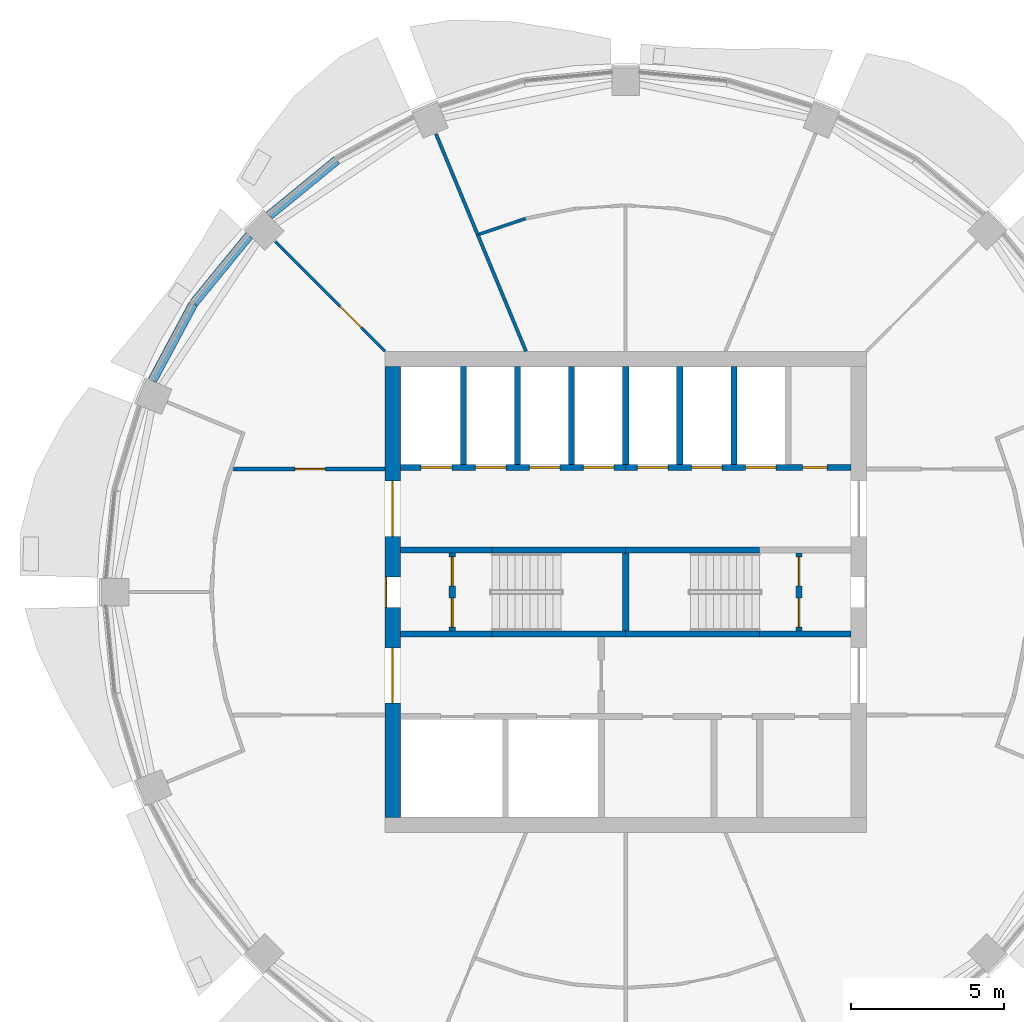
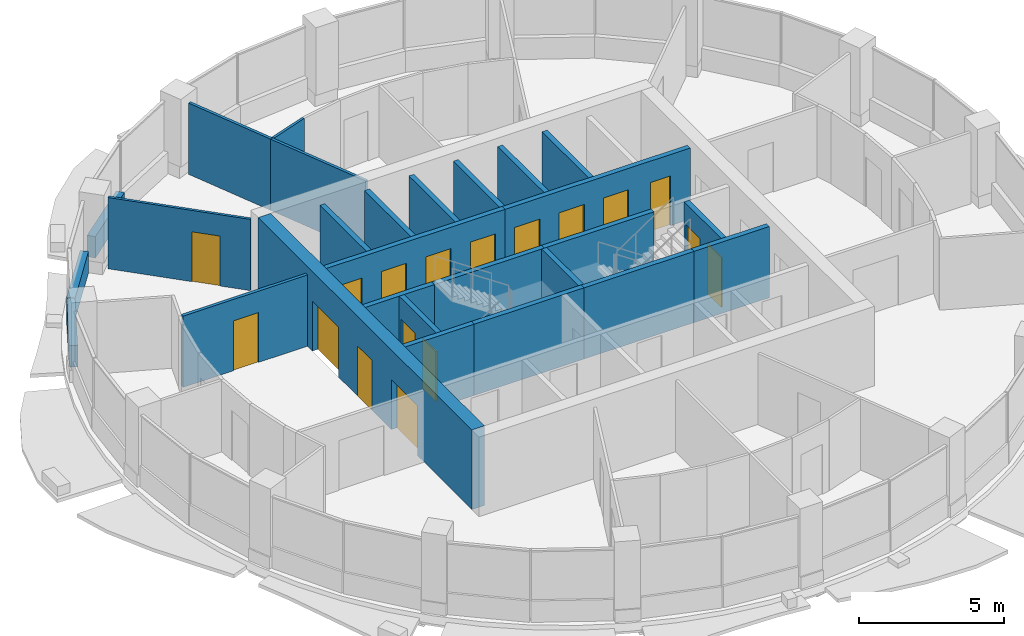
# One storey, part 9 of 15: 27 walls, 17 doors, 17 openings.
"""IFC4 building model written with IfcOpenShell, lengths in metres."""

from ifc_helpers import new_model, si_unit, direction, frame, frame_2d, origin, place, context, subcontext, project, spatial, rectangle, extrude, material, layer, layer_set, type_object, element, fill, save


model = new_model("IFC4")

# Units and contexts
model_context = context("Model", 3, precision=1e-05, world=origin(), true_north=direction((0.0, 1.0)))
body_context = subcontext(model_context, "Body", "Model", "MODEL_VIEW")
ifc_project = project(units=[si_unit("LENGTHUNIT", "METRE"), si_unit("AREAUNIT", "SQUARE_METRE"), si_unit("VOLUMEUNIT", "CUBIC_METRE"), si_unit("PLANEANGLEUNIT", "RADIAN"), si_unit("MASSUNIT", "GRAM", prefix="KILO")], contexts=[model_context])

# Site, building, storey
site_placement = place(None, origin())
site = spatial("IfcSite", under=ifc_project, at=site_placement, CompositionType="ELEMENT")
building_placement = place(site_placement, origin())
building = spatial("IfcBuilding", under=site, at=building_placement, Name="Polderwave Tower", CompositionType="ELEMENT")
storey_placement = place(building_placement, frame((0.0, 0.0, 197.699951171875)))
storey = spatial("IfcBuildingStorey", under=building, at=storey_placement, Name="L53", CompositionType="ELEMENT", Elevation=197.699951171875)

# Wall, openings, doors
ifc_material_1 = material(Name="Concrete C60/75", Category="concrete")
ifc_layer_1 = layer(ifc_material_1, 0.5)
ifc_layer_set_1 = layer_set([ifc_layer_1], Name="CORE WALL 500 C60/75")
wall_type_1 = type_object("IfcWallType", Name="CORE WALL 500 C60/75", PredefinedType="SHEAR", material=ifc_layer_set_1)
wall_1_placement = place(storey_placement, frame((-7.6240234375, -7.3740234375, 0.0), z_axis=(0.0, 0.0, 1.0), x_axis=(0.0, 1.0, 0.0)))
wall_1 = element("IfcWall", 1, at=wall_1_placement, inside=storey, type_object=wall_type_1, Name="ST-CORE-L53-W", PredefinedType="SHEAR", context=body_context, shape_type="SweptSolid", body=[
    extrude(rectangle(XDim=14.748046875, YDim=0.5, at=frame_2d((7.3740234375, 0.0))), origin(), (0.0, 0.0, 1.0), 3.35009765625),
])
opening_1_placement = place(wall_1_placement, frame((6.8740234375, 0.0, 0.0)))
opening_1 = element("IfcOpeningElement", 2, at=opening_1_placement, cuts=wall_1, Name="Opening L53-D19", PredefinedType="OPENING", context=body_context, shape_type="SweptSolid", body=[
    extrude(rectangle(XDim=1.0, YDim=2.10009765625, at=frame_2d((0.5, 1.050048828125))), frame((0.0, 0.260009765625, 0.0), z_axis=(0.0, -1.0, 0.0), x_axis=(1.0, 0.0, 0.0)), (0.0, 0.0, 1.0), 0.52001953125),
])
opening_2_placement = place(wall_1_placement, frame((3.74951171875, 0.0, 0.0)))
opening_2 = element("IfcOpeningElement", 3, at=opening_2_placement, cuts=wall_1, Name="Opening L53-D20", PredefinedType="OPENING", context=body_context, shape_type="SweptSolid", body=[
    extrude(rectangle(XDim=1.800048828125, YDim=2.10009765625, at=frame_2d((0.89990234375, 1.050048828125))), frame((0.0, 0.260009765625, 0.0), z_axis=(0.0, -1.0, 0.0), x_axis=(1.0, 0.0, 0.0)), (0.0, 0.0, 1.0), 0.52001953125),
])
opening_3_placement = place(wall_1_placement, frame((9.198486328125, 0.0, 0.0)))
opening_3 = element("IfcOpeningElement", 4, at=opening_3_placement, cuts=wall_1, Name="Opening L53-D21", PredefinedType="OPENING", context=body_context, shape_type="SweptSolid", body=[
    extrude(rectangle(XDim=1.800048828125, YDim=2.10009765625, at=frame_2d((0.89990234375, 1.050048828125))), frame((0.0, 0.260009765625, 0.0), z_axis=(0.0, -1.0, 0.0), x_axis=(1.0, 0.0, 0.0)), (0.0, 0.0, 1.0), 0.52001953125),
])
ifc_material_2 = material(Name="Steel fire door", Category="steel")
door_type_1 = type_object("IfcDoorType", Name="Lobby entry door pair 1800", OperationType="DOUBLE_DOOR_SINGLE_SWING", PredefinedType="DOOR", material=ifc_material_2)
door_1_placement = place(opening_2_placement, origin())
door_1 = element("IfcDoor", 5, at=door_1_placement, inside=storey, type_object=door_type_1, Name="Fire-fighting lobby entry door", OperationType="DOUBLE_DOOR_SINGLE_SWING", OverallHeight=2.10009765625, OverallWidth=1.800048828125, PredefinedType="DOOR", context=body_context, shape_type="SweptSolid", body=[
    extrude(rectangle(XDim=1.800048828125, YDim=2.10009765625, at=frame_2d((0.89990234375, 1.050048828125))), frame((0.0, 0.02490234375, 0.0), z_axis=(0.0, -1.0, 0.0), x_axis=(1.0, 0.0, 0.0)), (0.0, 0.0, 1.0), 0.050048828125),
])
fill(opening_2, door_1)
door_2_placement = place(opening_3_placement, origin())
door_2 = element("IfcDoor", 6, at=door_2_placement, inside=storey, type_object=door_type_1, Name="North lobby entry door", OperationType="DOUBLE_DOOR_SINGLE_SWING", OverallHeight=2.10009765625, OverallWidth=1.800048828125, PredefinedType="DOOR", context=body_context, shape_type="SweptSolid", body=[
    extrude(rectangle(XDim=1.800048828125, YDim=2.10009765625, at=frame_2d((0.89990234375, 1.050048828125))), frame((0.0, 0.02490234375, 0.0), z_axis=(0.0, -1.0, 0.0), x_axis=(1.0, 0.0, 0.0)), (0.0, 0.0, 1.0), 0.050048828125),
])
fill(opening_3, door_2)
door_type_2 = type_object("IfcDoorType", Name="Stair door 1000", OperationType="NOTDEFINED", PredefinedType="DOOR", material=ifc_material_2)
door_3_placement = place(opening_1_placement, origin())
door_3 = element("IfcDoor", 7, at=door_3_placement, inside=storey, type_object=door_type_2, Name="Stair A entry door", OperationType="SINGLE_SWING_RIGHT", OverallHeight=2.10009765625, OverallWidth=1.0, PredefinedType="DOOR", context=body_context, shape_type="SweptSolid", body=[
    extrude(rectangle(XDim=1.0, YDim=2.10009765625, at=frame_2d((0.5, 1.050048828125))), frame((0.0, 0.25, 0.0), z_axis=(0.0, -1.0, 0.0), x_axis=(1.0, 0.0, 0.0)), (0.0, 0.0, 1.0), 0.050048828125),
])
fill(opening_1, door_3)

# Walls
ifc_material_3 = material(Name="Concrete C50/60 (board-marked)", Category="concrete")
ifc_layer_2 = layer(ifc_material_3, 0.300048828125)
ifc_layer_set_2 = layer_set([ifc_layer_2], Name="Concrete spandrel upstand C50/60")
wall_type_2 = type_object("IfcWallType", Name="Concrete spandrel upstand C50/60", PredefinedType="SOLIDWALL", material=ifc_layer_set_2)
for number, where, z_axis, x_axis, name in (
    (8, (-9.45556640625, 14.12548828125, 0.0), (0.0, 0.0, 1.0), (-0.773213238462, -0.634146109242, 0.0), "Spandrel L53 6b"),
    (9, (-12.31640625, 11.661376953125, 0.0), (0.0, 0.0, 1.0), (-0.634146109242, -0.773213238462, 0.0), "Spandrel L53 7a"),
):
    element("IfcWall", number, at=place(storey_placement, frame(where, z_axis=z_axis, x_axis=x_axis)), inside=storey, type_object=wall_type_2, Name=name, PredefinedType="SOLIDWALL", context=body_context, shape_type="SweptSolid", body=[
        extrude(rectangle(XDim=2.852783203125, YDim=0.300048828125, at=frame_2d((1.42626953125, 0.0))), origin(), (0.0, 0.0, 1.0), 0.900146484375),
    ])
wall_2_placement = place(storey_placement, frame((-14.14208984375, 9.430908203125, 0.0), z_axis=(0.0, 0.0, 1.0), x_axis=(-0.471441594872, -0.881897285756, 0.0)))
element("IfcWall", 10, at=wall_2_placement, inside=storey, type_object=wall_type_2, Name="Spandrel L53 7b", PredefinedType="SOLIDWALL", context=body_context, shape_type="SweptSolid", body=[
    extrude(rectangle(XDim=2.850341796875, YDim=0.300048828125, at=frame_2d((1.42529296875, 0.0))), origin(), (0.0, 0.0, 1.0), 0.900146484375),
])

# Wall, openings, doors
ifc_material_4 = material(Name="Gypsum board partition")
ifc_layer_3 = layer(ifc_material_4, 0.199951171875)
ifc_layer_set_3 = layer_set([ifc_layer_3], Name="Core room partition 200")
wall_type_3 = type_object("IfcWallType", Name="Core room partition 200", PredefinedType="PARTITIONING", material=ifc_layer_set_3)
wall_3_placement = place(storey_placement, frame((-5.674072265625, -1.27490234375, 0.0), z_axis=(0.0, 0.0, 1.0), x_axis=(0.0, 1.0, 0.0)))
wall_3 = element("IfcWall", 11, at=wall_3_placement, inside=storey, type_object=wall_type_3, Name="L53 smoke lobby wall A", PredefinedType="PARTITIONING", context=body_context, shape_type="SweptSolid", body=[
    extrude(rectangle(XDim=2.5498046875, YDim=0.199951171875, at=frame_2d((1.27490234375, 0.0))), origin(), (0.0, 0.0, 1.0), 3.0),
])
opening_4_placement = place(wall_3_placement, frame((0.125, 0.0, 0.0)))
opening_4 = element("IfcOpeningElement", 12, at=opening_4_placement, cuts=wall_3, Name="Opening L53-D10", PredefinedType="OPENING", context=body_context, shape_type="SweptSolid", body=[
    extrude(rectangle(XDim=0.949951171875, YDim=2.10009765625, at=frame_2d((0.47509765625, 1.050048828125))), frame((0.0, 0.10986328125, 0.0), z_axis=(0.0, -1.0, 0.0), x_axis=(1.0, 0.0, 0.0)), (0.0, 0.0, 1.0), 0.219970703125),
])
opening_5_placement = place(wall_3_placement, frame((1.47509765625, 0.0, 0.0)))
opening_5 = element("IfcOpeningElement", 13, at=opening_5_placement, cuts=wall_3, Name="Opening L53-D11", PredefinedType="OPENING", context=body_context, shape_type="SweptSolid", body=[
    extrude(rectangle(XDim=0.949951171875, YDim=2.10009765625, at=frame_2d((0.47509765625, 1.050048828125))), frame((0.0, 0.10986328125, 0.0), z_axis=(0.0, -1.0, 0.0), x_axis=(1.0, 0.0, 0.0)), (0.0, 0.0, 1.0), 0.219970703125),
])
door_type_3 = type_object("IfcDoorType", Name="Smoke lobby door 950", OperationType="NOTDEFINED", PredefinedType="DOOR", material=ifc_material_2)
door_4_placement = place(opening_4_placement, origin())
door_4 = element("IfcDoor", 14, at=door_4_placement, inside=storey, type_object=door_type_3, Name="Stair A smoke lobby inner door", OperationType="SINGLE_SWING_LEFT", OverallHeight=2.10009765625, OverallWidth=0.949951171875, PredefinedType="DOOR", context=body_context, shape_type="SweptSolid", body=[
    extrude(rectangle(XDim=0.949951171875, YDim=2.10009765625, at=frame_2d((0.47509765625, 1.050048828125))), frame((0.0, 0.02490234375, 0.0), z_axis=(0.0, -1.0, 0.0), x_axis=(1.0, 0.0, 0.0)), (0.0, 0.0, 1.0), 0.050048828125),
])
fill(opening_4, door_4)
door_5_placement = place(opening_5_placement, origin())
door_5 = element("IfcDoor", 15, at=door_5_placement, inside=storey, type_object=door_type_3, Name="Stair A smoke lobby inner door", OperationType="SINGLE_SWING_RIGHT", OverallHeight=2.10009765625, OverallWidth=0.949951171875, PredefinedType="DOOR", context=body_context, shape_type="SweptSolid", body=[
    extrude(rectangle(XDim=0.949951171875, YDim=2.10009765625, at=frame_2d((0.47509765625, 1.050048828125))), frame((0.0, 0.02490234375, 0.0), z_axis=(0.0, -1.0, 0.0), x_axis=(1.0, 0.0, 0.0)), (0.0, 0.0, 1.0), 0.050048828125),
])
fill(opening_5, door_5)

wall_4_placement = place(storey_placement, frame((5.674072265625, -1.27490234375, 0.0), z_axis=(0.0, 0.0, 1.0), x_axis=(0.0, 1.0, 0.0)))
wall_4 = element("IfcWall", 16, at=wall_4_placement, inside=storey, type_object=wall_type_3, Name="L53 smoke lobby wall B", PredefinedType="PARTITIONING", context=body_context, shape_type="SweptSolid", body=[
    extrude(rectangle(XDim=2.5498046875, YDim=0.199951171875, at=frame_2d((1.27490234375, 0.0))), origin(), (0.0, 0.0, 1.0), 3.0),
])
opening_6_placement = place(wall_4_placement, frame((0.125, 0.0, 0.0)))
opening_6 = element("IfcOpeningElement", 17, at=opening_6_placement, cuts=wall_4, Name="Opening L53-D12", PredefinedType="OPENING", context=body_context, shape_type="SweptSolid", body=[
    extrude(rectangle(XDim=0.949951171875, YDim=2.10009765625, at=frame_2d((0.47509765625, 1.050048828125))), frame((0.0, 0.10986328125, 0.0), z_axis=(0.0, -1.0, 0.0), x_axis=(1.0, 0.0, 0.0)), (0.0, 0.0, 1.0), 0.219970703125),
])
opening_7_placement = place(wall_4_placement, frame((1.47509765625, 0.0, 0.0)))
opening_7 = element("IfcOpeningElement", 18, at=opening_7_placement, cuts=wall_4, Name="Opening L53-D13", PredefinedType="OPENING", context=body_context, shape_type="SweptSolid", body=[
    extrude(rectangle(XDim=0.949951171875, YDim=2.10009765625, at=frame_2d((0.47509765625, 1.050048828125))), frame((0.0, 0.10986328125, 0.0), z_axis=(0.0, -1.0, 0.0), x_axis=(1.0, 0.0, 0.0)), (0.0, 0.0, 1.0), 0.219970703125),
])
door_6_placement = place(opening_6_placement, frame((0.949951171875, 0.0, 0.0), z_axis=(0.0, 0.0, 1.0), x_axis=(-1.0, 0.0, 0.0)))
door_6 = element("IfcDoor", 19, at=door_6_placement, inside=storey, type_object=door_type_3, Name="Stair B smoke lobby inner door", OperationType="SINGLE_SWING_RIGHT", OverallHeight=2.10009765625, OverallWidth=0.949951171875, PredefinedType="DOOR", context=body_context, shape_type="SweptSolid", body=[
    extrude(rectangle(XDim=0.949951171875, YDim=2.10009765625, at=frame_2d((0.47509765625, 1.050048828125))), frame((0.0, 0.02490234375, 0.0), z_axis=(0.0, -1.0, 0.0), x_axis=(1.0, 0.0, 0.0)), (0.0, 0.0, 1.0), 0.050048828125),
])
fill(opening_6, door_6)
door_7_placement = place(opening_7_placement, frame((0.949951171875, 0.0, 0.0), z_axis=(0.0, 0.0, 1.0), x_axis=(-1.0, 0.0, 0.0)))
door_7 = element("IfcDoor", 20, at=door_7_placement, inside=storey, type_object=door_type_3, Name="Stair B smoke lobby inner door", OperationType="SINGLE_SWING_LEFT", OverallHeight=2.10009765625, OverallWidth=0.949951171875, PredefinedType="DOOR", context=body_context, shape_type="SweptSolid", body=[
    extrude(rectangle(XDim=0.949951171875, YDim=2.10009765625, at=frame_2d((0.47509765625, 1.050048828125))), frame((0.0, 0.02490234375, 0.0), z_axis=(0.0, -1.0, 0.0), x_axis=(1.0, 0.0, 0.0)), (0.0, 0.0, 1.0), 0.050048828125),
])
fill(opening_7, door_7)

ifc_material_5 = material(Name="Concrete C50/60", Category="concrete")
ifc_layer_4 = layer(ifc_material_5, 0.199951171875)
ifc_layer_set_4 = layer_set([ifc_layer_4], Name="Core web wall 200")
wall_type_4 = type_object("IfcWallType", Name="Core web wall 200", PredefinedType="SHEAR", material=ifc_layer_set_4)
wall_5_placement = place(storey_placement, frame((-7.3740234375, 4.073974609375, 0.0), z_axis=(0.0, 0.0, 1.0), x_axis=(1.0, 0.0, 0.0)))
wall_5 = element("IfcWall", 21, at=wall_5_placement, inside=storey, type_object=wall_type_4, Name="L53 north front wall 1", PredefinedType="SHEAR", context=body_context, shape_type="SweptSolid", body=[
    extrude(rectangle(XDim=7.3740234375, YDim=0.199951171875, at=frame_2d((3.68701171875, 0.0))), origin(), (0.0, 0.0, 1.0), 3.0),
])
opening_8_placement = place(wall_5_placement, frame((0.68408203125, 0.0, 0.0)))
opening_8 = element("IfcOpeningElement", 22, at=opening_8_placement, cuts=wall_5, Name="Opening L53-D03", PredefinedType="OPENING", context=body_context, shape_type="SweptSolid", body=[
    extrude(rectangle(XDim=1.0, YDim=2.10009765625, at=frame_2d((0.5, 1.050048828125))), frame((0.0, 0.10986328125, 0.0), z_axis=(0.0, -1.0, 0.0), x_axis=(1.0, 0.0, 0.0)), (0.0, 0.0, 1.0), 0.219970703125),
])
opening_9_placement = place(wall_5_placement, frame((2.45263671875, 0.0, 0.0)))
opening_9 = element("IfcOpeningElement", 23, at=opening_9_placement, cuts=wall_5, Name="Opening L53-D04", PredefinedType="OPENING", context=body_context, shape_type="SweptSolid", body=[
    extrude(rectangle(XDim=1.0, YDim=2.10009765625, at=frame_2d((0.5, 1.050048828125))), frame((0.0, 0.10986328125, 0.0), z_axis=(0.0, -1.0, 0.0), x_axis=(1.0, 0.0, 0.0)), (0.0, 0.0, 1.0), 0.219970703125),
])
opening_10_placement = place(wall_5_placement, frame((4.22119140625, 0.0, 0.0)))
opening_10 = element("IfcOpeningElement", 24, at=opening_10_placement, cuts=wall_5, Name="Opening L53-D05", PredefinedType="OPENING", context=body_context, shape_type="SweptSolid", body=[
    extrude(rectangle(XDim=1.0, YDim=2.10009765625, at=frame_2d((0.5, 1.050048828125))), frame((0.0, 0.10986328125, 0.0), z_axis=(0.0, -1.0, 0.0), x_axis=(1.0, 0.0, 0.0)), (0.0, 0.0, 1.0), 0.219970703125),
])
opening_11_placement = place(wall_5_placement, frame((5.98974609375, 0.0, 0.0)))
opening_11 = element("IfcOpeningElement", 25, at=opening_11_placement, cuts=wall_5, Name="Opening L53-D06", PredefinedType="OPENING", context=body_context, shape_type="SweptSolid", body=[
    extrude(rectangle(XDim=1.0, YDim=2.10009765625, at=frame_2d((0.5, 1.050048828125))), frame((0.0, 0.10986328125, 0.0), z_axis=(0.0, -1.0, 0.0), x_axis=(1.0, 0.0, 0.0)), (0.0, 0.0, 1.0), 0.219970703125),
])
ifc_material_6 = material(Name="Stainless steel", Category="steel")
door_type_4 = type_object("IfcDoorType", Name="Lift landing door 1000", OperationType="DOUBLE_DOOR_SLIDING", PredefinedType="DOOR", material=ifc_material_6)
door_8_placement = place(opening_8_placement, frame((1.0, 0.0, 0.0), z_axis=(0.0, 0.0, 1.0), x_axis=(-1.0, 0.0, 0.0)))
door_8 = element("IfcDoor", 26, at=door_8_placement, inside=storey, type_object=door_type_4, Name="Lift HL1 landing door", OperationType="DOUBLE_DOOR_SLIDING", OverallHeight=2.10009765625, OverallWidth=1.0, PredefinedType="DOOR", context=body_context, shape_type="SweptSolid", body=[
    extrude(rectangle(XDim=1.0, YDim=2.10009765625, at=frame_2d((0.5, 1.050048828125))), frame((0.0, 0.02490234375, 0.0), z_axis=(0.0, -1.0, 0.0), x_axis=(1.0, 0.0, 0.0)), (0.0, 0.0, 1.0), 0.050048828125),
])
fill(opening_8, door_8)
door_9_placement = place(opening_9_placement, frame((1.0, 0.0, 0.0), z_axis=(0.0, 0.0, 1.0), x_axis=(-1.0, 0.0, 0.0)))
door_9 = element("IfcDoor", 27, at=door_9_placement, inside=storey, type_object=door_type_4, Name="Lift HL2 landing door", OperationType="DOUBLE_DOOR_SLIDING", OverallHeight=2.10009765625, OverallWidth=1.0, PredefinedType="DOOR", context=body_context, shape_type="SweptSolid", body=[
    extrude(rectangle(XDim=1.0, YDim=2.10009765625, at=frame_2d((0.5, 1.050048828125))), frame((0.0, 0.02490234375, 0.0), z_axis=(0.0, -1.0, 0.0), x_axis=(1.0, 0.0, 0.0)), (0.0, 0.0, 1.0), 0.050048828125),
])
fill(opening_9, door_9)
door_10_placement = place(opening_10_placement, frame((1.0, 0.0, 0.0), z_axis=(0.0, 0.0, 1.0), x_axis=(-1.0, 0.0, 0.0)))
door_10 = element("IfcDoor", 28, at=door_10_placement, inside=storey, type_object=door_type_4, Name="Lift HL3 landing door", OperationType="DOUBLE_DOOR_SLIDING", OverallHeight=2.10009765625, OverallWidth=1.0, PredefinedType="DOOR", context=body_context, shape_type="SweptSolid", body=[
    extrude(rectangle(XDim=1.0, YDim=2.10009765625, at=frame_2d((0.5, 1.050048828125))), frame((0.0, 0.02490234375, 0.0), z_axis=(0.0, -1.0, 0.0), x_axis=(1.0, 0.0, 0.0)), (0.0, 0.0, 1.0), 0.050048828125),
])
fill(opening_10, door_10)
door_11_placement = place(opening_11_placement, frame((1.0, 0.0, 0.0), z_axis=(0.0, 0.0, 1.0), x_axis=(-1.0, 0.0, 0.0)))
door_11 = element("IfcDoor", 29, at=door_11_placement, inside=storey, type_object=door_type_4, Name="Lift HL4 landing door", OperationType="DOUBLE_DOOR_SLIDING", OverallHeight=2.10009765625, OverallWidth=1.0, PredefinedType="DOOR", context=body_context, shape_type="SweptSolid", body=[
    extrude(rectangle(XDim=1.0, YDim=2.10009765625, at=frame_2d((0.5, 1.050048828125))), frame((0.0, 0.02490234375, 0.0), z_axis=(0.0, -1.0, 0.0), x_axis=(1.0, 0.0, 0.0)), (0.0, 0.0, 1.0), 0.050048828125),
])
fill(opening_11, door_11)

wall_6_placement = place(storey_placement, frame((0.0, 4.073974609375, 0.0), z_axis=(0.0, 0.0, 1.0), x_axis=(1.0, 0.0, 0.0)))
wall_6 = element("IfcWall", 30, at=wall_6_placement, inside=storey, type_object=wall_type_4, Name="L53 north front wall 2", PredefinedType="SHEAR", context=body_context, shape_type="SweptSolid", body=[
    extrude(rectangle(XDim=7.3740234375, YDim=0.199951171875, at=frame_2d((3.68701171875, 0.0))), origin(), (0.0, 0.0, 1.0), 3.0),
])
opening_12_placement = place(wall_6_placement, frame((0.38427734375, 0.0, 0.0)))
opening_12 = element("IfcOpeningElement", 31, at=opening_12_placement, cuts=wall_6, Name="Opening L53-D07", PredefinedType="OPENING", context=body_context, shape_type="SweptSolid", body=[
    extrude(rectangle(XDim=1.0, YDim=2.10009765625, at=frame_2d((0.5, 1.050048828125))), frame((0.0, 0.10986328125, 0.0), z_axis=(0.0, -1.0, 0.0), x_axis=(1.0, 0.0, 0.0)), (0.0, 0.0, 1.0), 0.219970703125),
])
opening_13_placement = place(wall_6_placement, frame((2.15283203125, 0.0, 0.0)))
opening_13 = element("IfcOpeningElement", 32, at=opening_13_placement, cuts=wall_6, Name="Opening L53-D08", PredefinedType="OPENING", context=body_context, shape_type="SweptSolid", body=[
    extrude(rectangle(XDim=1.0, YDim=2.10009765625, at=frame_2d((0.5, 1.050048828125))), frame((0.0, 0.10986328125, 0.0), z_axis=(0.0, -1.0, 0.0), x_axis=(1.0, 0.0, 0.0)), (0.0, 0.0, 1.0), 0.219970703125),
])
opening_14_placement = place(wall_6_placement, frame((3.921142578125, 0.0, 0.0)))
opening_14 = element("IfcOpeningElement", 33, at=opening_14_placement, cuts=wall_6, Name="Opening L53-D09", PredefinedType="OPENING", context=body_context, shape_type="SweptSolid", body=[
    extrude(rectangle(XDim=1.0, YDim=2.10009765625, at=frame_2d((0.5, 1.050048828125))), frame((0.0, 0.10986328125, 0.0), z_axis=(0.0, -1.0, 0.0), x_axis=(1.0, 0.0, 0.0)), (0.0, 0.0, 1.0), 0.219970703125),
])
opening_15_placement = place(wall_6_placement, frame((5.789794921875, 0.0, 0.0)))
opening_15 = element("IfcOpeningElement", 34, at=opening_15_placement, cuts=wall_6, Name="Opening L53-D18", PredefinedType="OPENING", context=body_context, shape_type="SweptSolid", body=[
    extrude(rectangle(XDim=0.800048828125, YDim=2.10009765625, at=frame_2d((0.39990234375, 1.050048828125))), frame((0.0, 0.10986328125, 0.0), z_axis=(0.0, -1.0, 0.0), x_axis=(1.0, 0.0, 0.0)), (0.0, 0.0, 1.0), 0.219970703125),
])
door_12_placement = place(opening_12_placement, frame((1.0, 0.0, 0.0), z_axis=(0.0, 0.0, 1.0), x_axis=(-1.0, 0.0, 0.0)))
door_12 = element("IfcDoor", 35, at=door_12_placement, inside=storey, type_object=door_type_4, Name="Lift HL5 landing door", OperationType="DOUBLE_DOOR_SLIDING", OverallHeight=2.10009765625, OverallWidth=1.0, PredefinedType="DOOR", context=body_context, shape_type="SweptSolid", body=[
    extrude(rectangle(XDim=1.0, YDim=2.10009765625, at=frame_2d((0.5, 1.050048828125))), frame((0.0, 0.02490234375, 0.0), z_axis=(0.0, -1.0, 0.0), x_axis=(1.0, 0.0, 0.0)), (0.0, 0.0, 1.0), 0.050048828125),
])
fill(opening_12, door_12)
door_13_placement = place(opening_13_placement, frame((1.0, 0.0, 0.0), z_axis=(0.0, 0.0, 1.0), x_axis=(-1.0, 0.0, 0.0)))
door_13 = element("IfcDoor", 36, at=door_13_placement, inside=storey, type_object=door_type_4, Name="Lift HL6 landing door", OperationType="DOUBLE_DOOR_SLIDING", OverallHeight=2.10009765625, OverallWidth=1.0, PredefinedType="DOOR", context=body_context, shape_type="SweptSolid", body=[
    extrude(rectangle(XDim=1.0, YDim=2.10009765625, at=frame_2d((0.5, 1.050048828125))), frame((0.0, 0.02490234375, 0.0), z_axis=(0.0, -1.0, 0.0), x_axis=(1.0, 0.0, 0.0)), (0.0, 0.0, 1.0), 0.050048828125),
])
fill(opening_13, door_13)
door_14_placement = place(opening_14_placement, frame((1.0, 0.0, 0.0), z_axis=(0.0, 0.0, 1.0), x_axis=(-1.0, 0.0, 0.0)))
door_14 = element("IfcDoor", 37, at=door_14_placement, inside=storey, type_object=door_type_4, Name="Lift HL7 landing door", OperationType="DOUBLE_DOOR_SLIDING", OverallHeight=2.10009765625, OverallWidth=1.0, PredefinedType="DOOR", context=body_context, shape_type="SweptSolid", body=[
    extrude(rectangle(XDim=1.0, YDim=2.10009765625, at=frame_2d((0.5, 1.050048828125))), frame((0.0, 0.02490234375, 0.0), z_axis=(0.0, -1.0, 0.0), x_axis=(1.0, 0.0, 0.0)), (0.0, 0.0, 1.0), 0.050048828125),
])
fill(opening_14, door_14)
door_type_5 = type_object("IfcDoorType", Name="Riser door 800", OperationType="NOTDEFINED", PredefinedType="DOOR", material=ifc_material_2)
door_15_placement = place(opening_15_placement, frame((0.800048828125, 0.0, 0.0), z_axis=(0.0, 0.0, 1.0), x_axis=(-1.0, 0.0, 0.0)))
door_15 = element("IfcDoor", 38, at=door_15_placement, inside=storey, type_object=door_type_5, Name="Riser door", OperationType="SINGLE_SWING_LEFT", OverallHeight=2.10009765625, OverallWidth=0.800048828125, PredefinedType="DOOR", context=body_context, shape_type="SweptSolid", body=[
    extrude(rectangle(XDim=0.800048828125, YDim=2.10009765625, at=frame_2d((0.39990234375, 1.050048828125))), frame((0.0, 0.02490234375, 0.0), z_axis=(0.0, -1.0, 0.0), x_axis=(1.0, 0.0, 0.0)), (0.0, 0.0, 1.0), 0.050048828125),
])
fill(opening_15, door_15)

# Walls
wall_7_placement = place(storey_placement, frame((-7.3740234375, -1.375, 0.0), z_axis=(0.0, 0.0, 1.0), x_axis=(1.0, 0.0, 0.0)))
element("IfcWall", 39, at=wall_7_placement, inside=storey, type_object=wall_type_4, Name="L53 south stair wall 1", PredefinedType="SHEAR", context=body_context, shape_type="SweptSolid", body=[
    extrude(rectangle(XDim=3.0, YDim=0.199951171875, at=frame_2d((1.5, 0.0))), origin(), (0.0, 0.0, 1.0), 3.0),
])
for number, where, z_axis, x_axis, name in (
    (40, (-4.3740234375, -1.375, 0.0), (0.0, 0.0, 1.0), (1.0, 0.0, 0.0), "L53 south stair wall 2"),
    (41, (0.0, -1.375, 0.0), (0.0, 0.0, 1.0), (1.0, 0.0, 0.0), "L53 south stair wall 3"),
):
    element("IfcWall", number, at=place(storey_placement, frame(where, z_axis=z_axis, x_axis=x_axis)), inside=storey, type_object=wall_type_4, Name=name, PredefinedType="SHEAR", context=body_context, shape_type="SweptSolid", body=[
        extrude(rectangle(XDim=4.3740234375, YDim=0.199951171875, at=frame_2d((2.18701171875, 0.0))), origin(), (0.0, 0.0, 1.0), 3.0),
    ])
for number, where, z_axis, x_axis, name in (
    (42, (4.3740234375, -1.375, 0.0), (0.0, 0.0, 1.0), (1.0, 0.0, 0.0), "L53 south stair wall 4"),
    (43, (-7.3740234375, 1.375, 0.0), (0.0, 0.0, 1.0), (1.0, 0.0, 0.0), "L53 north stair wall 1"),
):
    element("IfcWall", number, at=place(storey_placement, frame(where, z_axis=z_axis, x_axis=x_axis)), inside=storey, type_object=wall_type_4, Name=name, PredefinedType="SHEAR", context=body_context, shape_type="SweptSolid", body=[
        extrude(rectangle(XDim=3.0, YDim=0.199951171875, at=frame_2d((1.5, 0.0))), origin(), (0.0, 0.0, 1.0), 3.0),
    ])
for number, where, z_axis, x_axis, name in (
    (44, (-4.3740234375, 1.375, 0.0), (0.0, 0.0, 1.0), (1.0, 0.0, 0.0), "L53 north stair wall 2"),
    (45, (0.0, 1.375, 0.0), (0.0, 0.0, 1.0), (1.0, 0.0, 0.0), "L53 north stair wall 3"),
):
    element("IfcWall", number, at=place(storey_placement, frame(where, z_axis=z_axis, x_axis=x_axis)), inside=storey, type_object=wall_type_4, Name=name, PredefinedType="SHEAR", context=body_context, shape_type="SweptSolid", body=[
        extrude(rectangle(XDim=4.3740234375, YDim=0.199951171875, at=frame_2d((2.18701171875, 0.0))), origin(), (0.0, 0.0, 1.0), 3.0),
    ])
wall_8_placement = place(storey_placement, frame((0.0, -1.27490234375, 0.0), z_axis=(0.0, 0.0, 1.0), x_axis=(0.0, 1.0, 0.0)))
element("IfcWall", 46, at=wall_8_placement, inside=storey, type_object=wall_type_4, Name="L53 wall between the stairs", PredefinedType="SHEAR", context=body_context, shape_type="SweptSolid", body=[
    extrude(rectangle(XDim=2.5498046875, YDim=0.199951171875, at=frame_2d((1.27490234375, 0.0))), origin(), (0.0, 0.0, 1.0), 3.0),
])

# Wall, opening, door
ifc_material_7 = material(Name="Fire-resisting board on steel studs", Category="steel")
ifc_layer_5 = layer(ifc_material_7, 0.125)
ifc_layer_set_5 = layer_set([ifc_layer_5], Name="Corridor wall 125 mm EI 60")
wall_type_5 = type_object("IfcWallType", Name="Corridor wall 125 mm EI 60", PredefinedType="PARTITIONING", material=ifc_layer_set_5)
wall_9_placement = place(storey_placement, frame((-12.825439453125, 4.0244140625, 0.0), z_axis=(0.0, 0.0, 1.0), x_axis=(1.0, 0.0, 0.0)))
wall_9 = element("IfcWall", 47, at=wall_9_placement, inside=storey, type_object=wall_type_5, Name="IN-L53-W009", PredefinedType="PARTITIONING", context=body_context, shape_type="SweptSolid", body=[
    extrude(rectangle(XDim=4.951416015625, YDim=0.125, at=frame_2d((2.4755859375, 0.0))), origin(), (0.0, 0.0, 1.0), 3.0),
])
opening_16_placement = place(wall_9_placement, frame((2.0, 0.0, 0.0)))
opening_16 = element("IfcOpeningElement", 48, at=opening_16_placement, cuts=wall_9, Name="Opening L53-D54", PredefinedType="OPENING", context=body_context, shape_type="SweptSolid", body=[
    extrude(rectangle(XDim=1.0, YDim=2.10009765625, at=frame_2d((0.5, 1.050048828125))), frame((0.0, 0.072509765625, 0.0), z_axis=(0.0, -1.0, 0.0), x_axis=(1.0, 0.0, 0.0)), (0.0, 0.0, 1.0), 0.14501953125),
])
ifc_material_8 = material(Name="Timber fire door leaf", Category="wood")
door_type_6 = type_object("IfcDoorType", Name="Fire door FD30S 1000 x 2100", OperationType="NOTDEFINED", PredefinedType="DOOR", material=ifc_material_8)
door_16_placement = place(opening_16_placement, origin())
door_16 = element("IfcDoor", 49, at=door_16_placement, inside=storey, type_object=door_type_6, Name="Door L53-D54", OperationType="SINGLE_SWING_RIGHT", OverallHeight=2.10009765625, OverallWidth=1.0, PredefinedType="DOOR", context=body_context, shape_type="SweptSolid", body=[
    extrude(rectangle(XDim=1.0, YDim=2.10009765625, at=frame_2d((0.5, 1.050048828125))), frame((0.0, 0.02490234375, 0.0), z_axis=(0.0, -1.0, 0.0), x_axis=(1.0, 0.0, 0.0)), (0.0, 0.0, 1.0), 0.050048828125),
])
fill(opening_16, door_16)

# Wall
ifc_material_9 = material(Name="Plasterboard on steel studs", Category="steel")
ifc_layer_6 = layer(ifc_material_9, 0.10009765625)
ifc_layer_set_6 = layer_set([ifc_layer_6], Name="Partition 100 mm plasterboard on steel studs")
wall_type_6 = type_object("IfcWallType", Name="Partition 100 mm plasterboard on steel studs", PredefinedType="PARTITIONING", material=ifc_layer_set_6)
wall_10_placement = place(storey_placement, frame((-3.277099609375, 12.218017578125, 0.0), z_axis=(0.0, 0.0, 1.0), x_axis=(-0.946906238322, -0.321509837838, 0.0)))
element("IfcWall", 50, at=wall_10_placement, inside=storey, type_object=wall_type_6, Name="IN-L53-W027", PredefinedType="PARTITIONING", context=body_context, shape_type="SweptSolid", body=[
    extrude(rectangle(XDim=1.593017578125, YDim=0.10009765625, at=frame_2d((0.79638671875, 0.0))), origin(), (0.0, 0.0, 1.0), 3.0),
])

# Wall, opening, door
wall_11_placement = place(storey_placement, frame((-11.46923828125, 11.46923828125, 0.0), z_axis=(0.0, 0.0, 1.0), x_axis=(0.707106781187, -0.707106781187, 0.0)))
wall_11 = element("IfcWall", 51, at=wall_11_placement, inside=storey, type_object=wall_type_6, Name="IN-L53-W032", PredefinedType="PARTITIONING", context=body_context, shape_type="SweptSolid", body=[
    extrude(rectangle(XDim=5.08447265625, YDim=0.10009765625, at=frame_2d((2.542236328125, 0.0))), origin(), (0.0, 0.0, 1.0), 3.0),
])
opening_17_placement = place(wall_11_placement, frame((3.0, 0.0, 0.0)))
opening_17 = element("IfcOpeningElement", 52, at=opening_17_placement, cuts=wall_11, Name="Opening L53-D62", PredefinedType="OPENING", context=body_context, shape_type="SweptSolid", body=[
    extrude(rectangle(XDim=1.0, YDim=2.10009765625, at=frame_2d((0.5, 1.050048828125))), frame((0.0, 0.06005859375, 0.0), z_axis=(0.0, -1.0, 0.0), x_axis=(1.0, 0.0, 0.0)), (0.0, 0.0, 1.0), 0.1201171875),
])
ifc_material_10 = material(Name="Timber veneer door leaf", Category="wood")
door_type_7 = type_object("IfcDoorType", Name="Single door 1000 x 2100", OperationType="NOTDEFINED", PredefinedType="DOOR", material=ifc_material_10)
door_17_placement = place(opening_17_placement, origin())
door_17 = element("IfcDoor", 53, at=door_17_placement, inside=storey, type_object=door_type_7, Name="Door L53-D62", OperationType="SINGLE_SWING_RIGHT", OverallHeight=2.10009765625, OverallWidth=1.0, PredefinedType="DOOR", context=body_context, shape_type="SweptSolid", body=[
    extrude(rectangle(XDim=1.0, YDim=2.10009765625, at=frame_2d((0.5, 1.050048828125))), frame((0.0, 0.02490234375, 0.0), z_axis=(0.0, -1.0, 0.0), x_axis=(1.0, 0.0, 0.0)), (0.0, 0.0, 1.0), 0.050048828125),
])
fill(opening_17, door_17)

# Walls
ifc_material_11 = material(Name="Acoustic double plasterboard on steel studs", Category="steel")
ifc_layer_7 = layer(ifc_material_11, 0.110107421875)
ifc_layer_set_7 = layer_set([ifc_layer_7], Name="Partition 110 mm acoustic double board")
wall_type_7 = type_object("IfcWallType", Name="Partition 110 mm acoustic double board", PredefinedType="PARTITIONING", material=ifc_layer_set_7)
wall_12_placement = place(storey_placement, frame((-4.8408203125, 11.68701171875, 0.0), z_axis=(0.0, 0.0, 1.0), x_axis=(-0.382681959822, 0.923880142457, 0.0)))
element("IfcWall", 54, at=wall_12_placement, inside=storey, type_object=wall_type_7, Name="IN-L53-W030", PredefinedType="PARTITIONING", context=body_context, shape_type="SweptSolid", body=[
    extrude(rectangle(XDim=3.570068359375, YDim=0.110107421875, at=frame_2d((1.78515625, 0.0))), origin(), (0.0, 0.0, 1.0), 3.0),
])
wall_13_placement = place(storey_placement, frame((-3.261474609375, 7.8740234375, 0.0), z_axis=(0.0, 0.0, 1.0), x_axis=(-0.382673969281, 0.923883452192, 0.0)))
element("IfcWall", 55, at=wall_13_placement, inside=storey, type_object=wall_type_7, Name="IN-L53-W031", PredefinedType="PARTITIONING", context=body_context, shape_type="SweptSolid", body=[
    extrude(rectangle(XDim=4.127197265625, YDim=0.110107421875, at=frame_2d((2.0634765625, 0.0))), origin(), (0.0, 0.0, 1.0), 3.0),
])
ifc_material_12 = material(Name="Gypsum shaft wall system")
ifc_layer_8 = layer(ifc_material_12, 0.199951171875)
ifc_layer_set_8 = layer_set([ifc_layer_8], Name="Shaft wall 200")
wall_type_8 = type_object("IfcWallType", Name="Shaft wall 200", PredefinedType="PARTITIONING", material=ifc_layer_set_8)
for number, where, z_axis, x_axis, name in (
    (56, (-5.305419921875, 4.174072265625, 0.0), (0.0, 0.0, 1.0), (0.0, 1.0, 0.0), "L53 lift shaft wall N1"),
    (57, (-3.537109375, 4.174072265625, 0.0), (0.0, 0.0, 1.0), (0.0, 1.0, 0.0), "L53 lift shaft wall N2"),
    (58, (-1.7685546875, 4.174072265625, 0.0), (0.0, 0.0, 1.0), (0.0, 1.0, 0.0), "L53 lift shaft wall N3"),
    (59, (0.0, 4.174072265625, 0.0), (0.0, 0.0, 1.0), (0.0, 1.0, 0.0), "L53 lift shaft wall N4"),
    (60, (1.7685546875, 4.174072265625, 0.0), (0.0, 0.0, 1.0), (0.0, 1.0, 0.0), "L53 lift shaft wall N5"),
    (61, (3.537109375, 4.174072265625, 0.0), (0.0, 0.0, 1.0), (0.0, 1.0, 0.0), "L53 lift shaft wall N6"),
):
    element("IfcWall", number, at=place(storey_placement, frame(where, z_axis=z_axis, x_axis=x_axis)), inside=storey, type_object=wall_type_8, Name=name, PredefinedType="PARTITIONING", context=body_context, shape_type="SweptSolid", body=[
        extrude(rectangle(XDim=3.199951171875, YDim=0.199951171875, at=frame_2d((1.60009765625, 0.0))), origin(), (0.0, 0.0, 1.0), 3.0),
    ])

save(model, "model.ifc")
